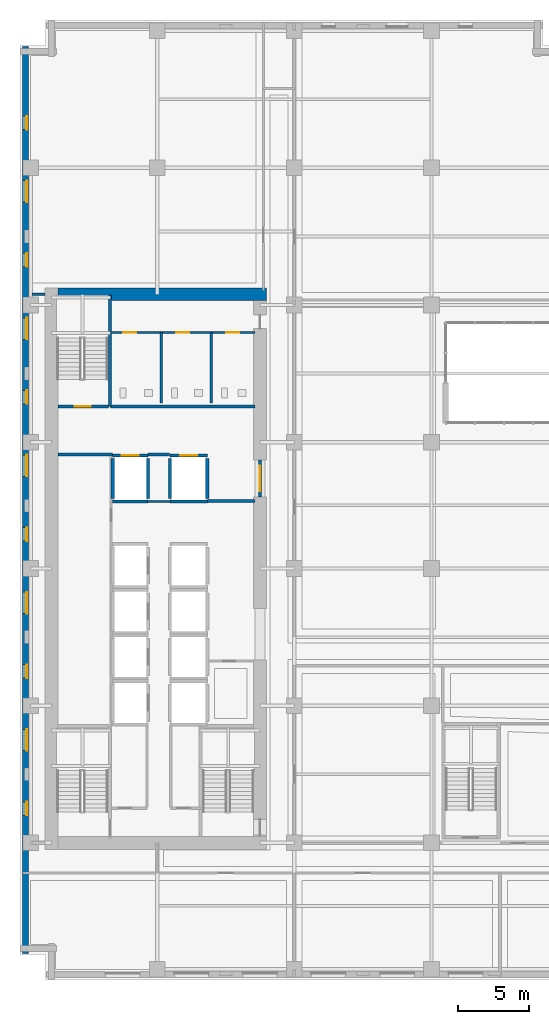
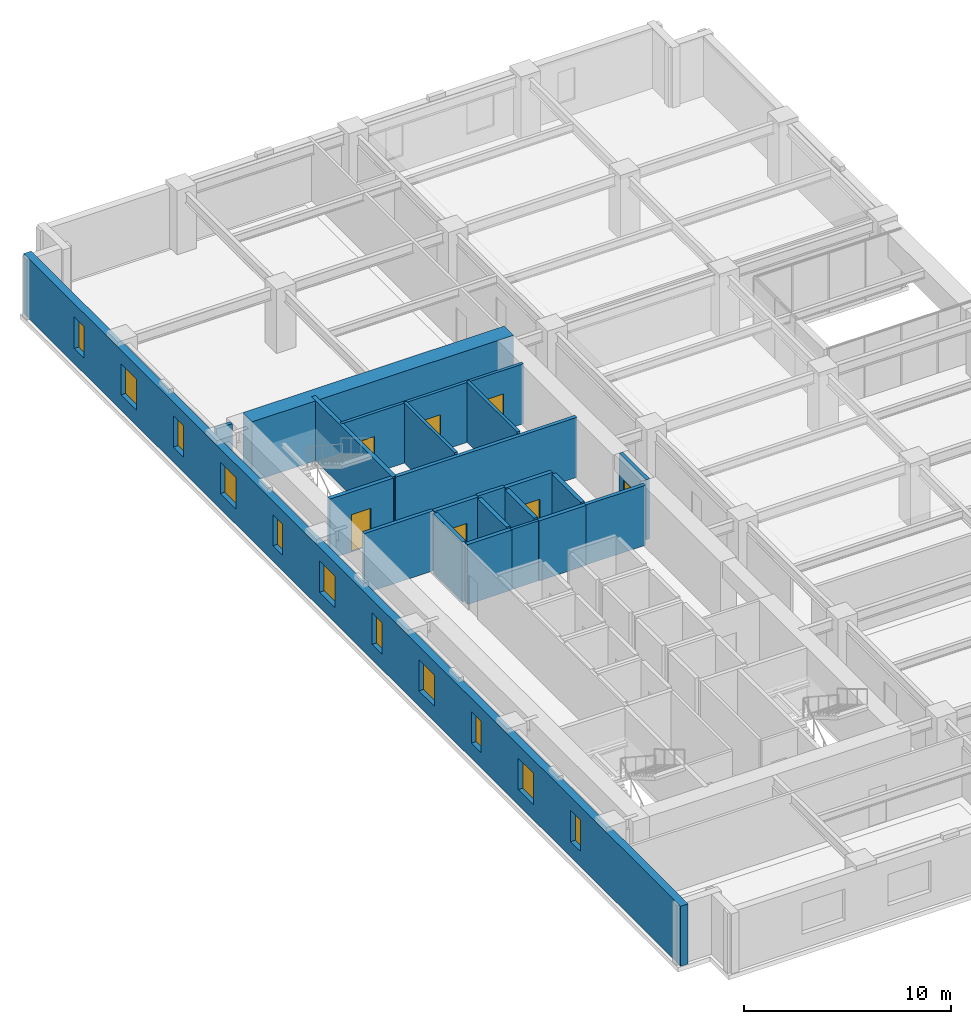
# One storey, part 6 of 14: 22 walls, 11 windows, 7 doors, 18 openings.
"""IFC4 building model written with IfcOpenShell, lengths in metres."""

from ifc_helpers import new_model, si_unit, direction, frame, frame_2d, origin, place, context, subcontext, project, spatial, rectangle, extrude, material, layer, layer_set, type_object, element, fill, save


model = new_model("IFC4")

# Units and contexts
model_context = context("Model", 3, precision=1e-05, world=origin(), true_north=direction((0.0, 1.0)))
body_context = subcontext(model_context, "Body", "Model", "MODEL_VIEW")
ifc_project = project(units=[si_unit("LENGTHUNIT", "METRE"), si_unit("AREAUNIT", "SQUARE_METRE"), si_unit("VOLUMEUNIT", "CUBIC_METRE"), si_unit("PLANEANGLEUNIT", "RADIAN"), si_unit("MASSUNIT", "GRAM", prefix="KILO")], contexts=[model_context])

# Site, building, storey
site_placement = place(None, origin())
site = spatial("IfcSite", under=ifc_project, at=site_placement, CompositionType="ELEMENT")
building_placement = place(site_placement, origin())
building = spatial("IfcBuilding", under=site, at=building_placement, Name="Norrvale University Quadrangle", CompositionType="ELEMENT")
storey_placement = place(building_placement, frame((0.0, 0.0, 62.199951171875)))
storey = spatial("IfcBuildingStorey", under=building, at=storey_placement, Name="L15", CompositionType="ELEMENT", Elevation=62.199951171875)

# Wall, openings, windows
ifc_material_1 = material(Name="Buff Norman Clay Brick Masonry", Category="masonry")
ifc_layer_1 = layer(ifc_material_1, 0.419921875, Name="Buff Norman Clay Brick Masonry")
ifc_layer_set_1 = layer_set([ifc_layer_1], Name="Buff Norman Clay Brick Masonry")
wall_type_1 = type_object("IfcWallType", Name="Wall Buff Brick 420", PredefinedType="SOLIDWALL", material=ifc_layer_set_1)
wall_1_placement = place(storey_placement, frame((0.389892578125, 65.360107421875, 0.0), z_axis=(0.0, 0.0, 1.0), x_axis=(0.0, -1.0, 0.0)))
wall_1 = element("IfcWall", 1, at=wall_1_placement, inside=storey, type_object=wall_type_1, Name="Exterior Brick Facade Wall L15-14.1", PredefinedType="SOLIDWALL", context=body_context, shape_type="SweptSolid", body=[
    extrude(rectangle(XDim=63.52001953125, YDim=0.419921875, at=frame_2d((31.760009765625, 0.0))), origin(), (0.0, 0.0, 1.0), 3.5400390625),
])
opening_1_placement = place(wall_1_placement, frame((4.885009765625, 0.0, 0.89990234375)))
opening_1 = element("IfcOpeningElement", 2, at=opening_1_placement, cuts=wall_1, Name="Opening W04", PredefinedType="OPENING", context=body_context, shape_type="SweptSolid", body=[
    extrude(rectangle(XDim=0.949951171875, YDim=1.85009765625, at=frame_2d((0.47509765625, 0.925048828125))), frame((0.0, 0.221923828125, 0.0), z_axis=(0.0, -1.0, 0.0), x_axis=(1.0, 0.0, 0.0)), (0.0, 0.0, 1.0), 0.44384765625),
])
opening_2_placement = place(wall_1_placement, frame((9.409912109375, 0.0, 0.89990234375)))
opening_2 = element("IfcOpeningElement", 3, at=opening_2_placement, cuts=wall_1, Name="Opening W03", PredefinedType="OPENING", context=body_context, shape_type="SweptSolid", body=[
    extrude(rectangle(XDim=1.5, YDim=1.85009765625, at=frame_2d((0.75, 0.925048828125))), frame((0.0, 0.221923828125, 0.0), z_axis=(0.0, -1.0, 0.0), x_axis=(1.0, 0.0, 0.0)), (0.0, 0.0, 1.0), 0.44384765625),
])
opening_3_placement = place(wall_1_placement, frame((14.485107421875, 0.0, 0.89990234375)))
opening_3 = element("IfcOpeningElement", 4, at=opening_3_placement, cuts=wall_1, Name="Opening W04", PredefinedType="OPENING", context=body_context, shape_type="SweptSolid", body=[
    extrude(rectangle(XDim=0.949951171875, YDim=1.85009765625, at=frame_2d((0.47509765625, 0.925048828125))), frame((0.0, 0.221923828125, 0.0), z_axis=(0.0, -1.0, 0.0), x_axis=(1.0, 0.0, 0.0)), (0.0, 0.0, 1.0), 0.44384765625),
])
opening_4_placement = place(wall_1_placement, frame((19.010009765625, 0.0, 0.89990234375)))
opening_4 = element("IfcOpeningElement", 5, at=opening_4_placement, cuts=wall_1, Name="Opening W03", PredefinedType="OPENING", context=body_context, shape_type="SweptSolid", body=[
    extrude(rectangle(XDim=1.5, YDim=1.85009765625, at=frame_2d((0.75, 0.925048828125))), frame((0.0, 0.221923828125, 0.0), z_axis=(0.0, -1.0, 0.0), x_axis=(1.0, 0.0, 0.0)), (0.0, 0.0, 1.0), 0.44384765625),
])
opening_5_placement = place(wall_1_placement, frame((24.0849609375, 0.0, 0.89990234375)))
opening_5 = element("IfcOpeningElement", 6, at=opening_5_placement, cuts=wall_1, Name="Opening W04", PredefinedType="OPENING", context=body_context, shape_type="SweptSolid", body=[
    extrude(rectangle(XDim=0.949951171875, YDim=1.85009765625, at=frame_2d((0.47509765625, 0.925048828125))), frame((0.0, 0.221923828125, 0.0), z_axis=(0.0, -1.0, 0.0), x_axis=(1.0, 0.0, 0.0)), (0.0, 0.0, 1.0), 0.44384765625),
])
opening_6_placement = place(wall_1_placement, frame((28.610107421875, 0.0, 0.89990234375)))
opening_6 = element("IfcOpeningElement", 7, at=opening_6_placement, cuts=wall_1, Name="Opening W03", PredefinedType="OPENING", context=body_context, shape_type="SweptSolid", body=[
    extrude(rectangle(XDim=1.5, YDim=1.85009765625, at=frame_2d((0.75, 0.925048828125))), frame((0.0, 0.221923828125, 0.0), z_axis=(0.0, -1.0, 0.0), x_axis=(1.0, 0.0, 0.0)), (0.0, 0.0, 1.0), 0.44384765625),
])
opening_7_placement = place(wall_1_placement, frame((33.68505859375, 0.0, 0.89990234375)))
opening_7 = element("IfcOpeningElement", 8, at=opening_7_placement, cuts=wall_1, Name="Opening W04", PredefinedType="OPENING", context=body_context, shape_type="SweptSolid", body=[
    extrude(rectangle(XDim=0.949951171875, YDim=1.85009765625, at=frame_2d((0.47509765625, 0.925048828125))), frame((0.0, 0.221923828125, 0.0), z_axis=(0.0, -1.0, 0.0), x_axis=(1.0, 0.0, 0.0)), (0.0, 0.0, 1.0), 0.44384765625),
])
opening_8_placement = place(wall_1_placement, frame((38.2099609375, 0.0, 0.89990234375)))
opening_8 = element("IfcOpeningElement", 9, at=opening_8_placement, cuts=wall_1, Name="Opening W03", PredefinedType="OPENING", context=body_context, shape_type="SweptSolid", body=[
    extrude(rectangle(XDim=1.5, YDim=1.85009765625, at=frame_2d((0.75, 0.925048828125))), frame((0.0, 0.221923828125, 0.0), z_axis=(0.0, -1.0, 0.0), x_axis=(1.0, 0.0, 0.0)), (0.0, 0.0, 1.0), 0.44384765625),
])
opening_9_placement = place(wall_1_placement, frame((43.284912109375, 0.0, 0.89990234375)))
opening_9 = element("IfcOpeningElement", 10, at=opening_9_placement, cuts=wall_1, Name="Opening W04", PredefinedType="OPENING", context=body_context, shape_type="SweptSolid", body=[
    extrude(rectangle(XDim=0.949951171875, YDim=1.85009765625, at=frame_2d((0.47509765625, 0.925048828125))), frame((0.0, 0.221923828125, 0.0), z_axis=(0.0, -1.0, 0.0), x_axis=(1.0, 0.0, 0.0)), (0.0, 0.0, 1.0), 0.44384765625),
])
opening_10_placement = place(wall_1_placement, frame((47.81005859375, 0.0, 0.89990234375)))
opening_10 = element("IfcOpeningElement", 11, at=opening_10_placement, cuts=wall_1, Name="Opening W03", PredefinedType="OPENING", context=body_context, shape_type="SweptSolid", body=[
    extrude(rectangle(XDim=1.5, YDim=1.85009765625, at=frame_2d((0.75, 0.925048828125))), frame((0.0, 0.221923828125, 0.0), z_axis=(0.0, -1.0, 0.0), x_axis=(1.0, 0.0, 0.0)), (0.0, 0.0, 1.0), 0.44384765625),
])
opening_11_placement = place(wall_1_placement, frame((52.885009765625, 0.0, 0.89990234375)))
opening_11 = element("IfcOpeningElement", 12, at=opening_11_placement, cuts=wall_1, Name="Opening W04", PredefinedType="OPENING", context=body_context, shape_type="SweptSolid", body=[
    extrude(rectangle(XDim=0.949951171875, YDim=1.85009765625, at=frame_2d((0.47509765625, 0.925048828125))), frame((0.0, 0.221923828125, 0.0), z_axis=(0.0, -1.0, 0.0), x_axis=(1.0, 0.0, 0.0)), (0.0, 0.0, 1.0), 0.44384765625),
])
ifc_material_2 = material(Name="Triple Low-E Argon Glazing", Category="glass")
window_type_1 = type_object("IfcWindowType", Name="Window Narrow Pier 950x2300", PartitioningType="SINGLE_PANEL", PredefinedType="WINDOW", material=ifc_material_2)
window_1_placement = place(opening_1_placement, origin())
window_1 = element("IfcWindow", 13, at=window_1_placement, inside=storey, type_object=window_type_1, Name="Window Narrow Pier 950x2300 WIN-L15-E14-1-01", OverallHeight=1.85009765625, OverallWidth=0.949951171875, PartitioningType="SINGLE_PANEL", PredefinedType="WINDOW", context=body_context, shape_type="SweptSolid", body=[
    extrude(rectangle(XDim=0.949951171875, YDim=1.85009765625, at=frame_2d((0.47509765625, 0.925048828125))), frame((0.0, 0.110107421875, 0.0), z_axis=(0.0, -1.0, 0.0), x_axis=(1.0, 0.0, 0.0)), (0.0, 0.0, 1.0), 0.06005859375),
])
fill(opening_1, window_1)
window_2_placement = place(opening_3_placement, origin())
window_2 = element("IfcWindow", 14, at=window_2_placement, inside=storey, type_object=window_type_1, Name="Window Narrow Pier 950x2300 WIN-L15-E14-1-03", OverallHeight=1.85009765625, OverallWidth=0.949951171875, PartitioningType="SINGLE_PANEL", PredefinedType="WINDOW", context=body_context, shape_type="SweptSolid", body=[
    extrude(rectangle(XDim=0.949951171875, YDim=1.85009765625, at=frame_2d((0.47509765625, 0.925048828125))), frame((0.0, 0.110107421875, 0.0), z_axis=(0.0, -1.0, 0.0), x_axis=(1.0, 0.0, 0.0)), (0.0, 0.0, 1.0), 0.06005859375),
])
fill(opening_3, window_2)
window_3_placement = place(opening_5_placement, origin())
window_3 = element("IfcWindow", 15, at=window_3_placement, inside=storey, type_object=window_type_1, Name="Window Narrow Pier 950x2300 WIN-L15-E14-1-05", OverallHeight=1.85009765625, OverallWidth=0.949951171875, PartitioningType="SINGLE_PANEL", PredefinedType="WINDOW", context=body_context, shape_type="SweptSolid", body=[
    extrude(rectangle(XDim=0.949951171875, YDim=1.85009765625, at=frame_2d((0.47509765625, 0.925048828125))), frame((0.0, 0.110107421875, 0.0), z_axis=(0.0, -1.0, 0.0), x_axis=(1.0, 0.0, 0.0)), (0.0, 0.0, 1.0), 0.06005859375),
])
fill(opening_5, window_3)
window_4_placement = place(opening_7_placement, origin())
window_4 = element("IfcWindow", 16, at=window_4_placement, inside=storey, type_object=window_type_1, Name="Window Narrow Pier 950x2300 WIN-L15-E14-1-07", OverallHeight=1.85009765625, OverallWidth=0.949951171875, PartitioningType="SINGLE_PANEL", PredefinedType="WINDOW", context=body_context, shape_type="SweptSolid", body=[
    extrude(rectangle(XDim=0.949951171875, YDim=1.85009765625, at=frame_2d((0.47509765625, 0.925048828125))), frame((0.0, 0.110107421875, 0.0), z_axis=(0.0, -1.0, 0.0), x_axis=(1.0, 0.0, 0.0)), (0.0, 0.0, 1.0), 0.06005859375),
])
fill(opening_7, window_4)
window_5_placement = place(opening_9_placement, origin())
window_5 = element("IfcWindow", 17, at=window_5_placement, inside=storey, type_object=window_type_1, Name="Window Narrow Pier 950x2300 WIN-L15-E14-1-09", OverallHeight=1.85009765625, OverallWidth=0.949951171875, PartitioningType="SINGLE_PANEL", PredefinedType="WINDOW", context=body_context, shape_type="SweptSolid", body=[
    extrude(rectangle(XDim=0.949951171875, YDim=1.85009765625, at=frame_2d((0.47509765625, 0.925048828125))), frame((0.0, 0.110107421875, 0.0), z_axis=(0.0, -1.0, 0.0), x_axis=(1.0, 0.0, 0.0)), (0.0, 0.0, 1.0), 0.06005859375),
])
fill(opening_9, window_5)
window_6_placement = place(opening_11_placement, origin())
window_6 = element("IfcWindow", 18, at=window_6_placement, inside=storey, type_object=window_type_1, Name="Window Narrow Pier 950x2300 WIN-L15-E14-1-11", OverallHeight=1.85009765625, OverallWidth=0.949951171875, PartitioningType="SINGLE_PANEL", PredefinedType="WINDOW", context=body_context, shape_type="SweptSolid", body=[
    extrude(rectangle(XDim=0.949951171875, YDim=1.85009765625, at=frame_2d((0.47509765625, 0.925048828125))), frame((0.0, 0.110107421875, 0.0), z_axis=(0.0, -1.0, 0.0), x_axis=(1.0, 0.0, 0.0)), (0.0, 0.0, 1.0), 0.06005859375),
])
fill(opening_11, window_6)
window_type_2 = type_object("IfcWindowType", Name="Window Studio 1500x2300", PartitioningType="DOUBLE_PANEL_VERTICAL", PredefinedType="WINDOW", material=ifc_material_2)
window_7_placement = place(opening_2_placement, origin())
window_7 = element("IfcWindow", 19, at=window_7_placement, inside=storey, type_object=window_type_2, Name="Window Studio 1500x2300 WIN-L15-E14-1-02", OverallHeight=1.85009765625, OverallWidth=1.5, PartitioningType="DOUBLE_PANEL_VERTICAL", PredefinedType="WINDOW", context=body_context, shape_type="SweptSolid", body=[
    extrude(rectangle(XDim=1.5, YDim=1.85009765625, at=frame_2d((0.75, 0.925048828125))), frame((0.0, 0.110107421875, 0.0), z_axis=(0.0, -1.0, 0.0), x_axis=(1.0, 0.0, 0.0)), (0.0, 0.0, 1.0), 0.06005859375),
])
fill(opening_2, window_7)
window_8_placement = place(opening_4_placement, origin())
window_8 = element("IfcWindow", 20, at=window_8_placement, inside=storey, type_object=window_type_2, Name="Window Studio 1500x2300 WIN-L15-E14-1-04", OverallHeight=1.85009765625, OverallWidth=1.5, PartitioningType="DOUBLE_PANEL_VERTICAL", PredefinedType="WINDOW", context=body_context, shape_type="SweptSolid", body=[
    extrude(rectangle(XDim=1.5, YDim=1.85009765625, at=frame_2d((0.75, 0.925048828125))), frame((0.0, 0.110107421875, 0.0), z_axis=(0.0, -1.0, 0.0), x_axis=(1.0, 0.0, 0.0)), (0.0, 0.0, 1.0), 0.06005859375),
])
fill(opening_4, window_8)
window_9_placement = place(opening_6_placement, origin())
window_9 = element("IfcWindow", 21, at=window_9_placement, inside=storey, type_object=window_type_2, Name="Window Studio 1500x2300 WIN-L15-E14-1-06", OverallHeight=1.85009765625, OverallWidth=1.5, PartitioningType="DOUBLE_PANEL_VERTICAL", PredefinedType="WINDOW", context=body_context, shape_type="SweptSolid", body=[
    extrude(rectangle(XDim=1.5, YDim=1.85009765625, at=frame_2d((0.75, 0.925048828125))), frame((0.0, 0.110107421875, 0.0), z_axis=(0.0, -1.0, 0.0), x_axis=(1.0, 0.0, 0.0)), (0.0, 0.0, 1.0), 0.06005859375),
])
fill(opening_6, window_9)
window_10_placement = place(opening_8_placement, origin())
window_10 = element("IfcWindow", 22, at=window_10_placement, inside=storey, type_object=window_type_2, Name="Window Studio 1500x2300 WIN-L15-E14-1-08", OverallHeight=1.85009765625, OverallWidth=1.5, PartitioningType="DOUBLE_PANEL_VERTICAL", PredefinedType="WINDOW", context=body_context, shape_type="SweptSolid", body=[
    extrude(rectangle(XDim=1.5, YDim=1.85009765625, at=frame_2d((0.75, 0.925048828125))), frame((0.0, 0.110107421875, 0.0), z_axis=(0.0, -1.0, 0.0), x_axis=(1.0, 0.0, 0.0)), (0.0, 0.0, 1.0), 0.06005859375),
])
fill(opening_8, window_10)
window_11_placement = place(opening_10_placement, origin())
window_11 = element("IfcWindow", 23, at=window_11_placement, inside=storey, type_object=window_type_2, Name="Window Studio 1500x2300 WIN-L15-E14-1-10", OverallHeight=1.85009765625, OverallWidth=1.5, PartitioningType="DOUBLE_PANEL_VERTICAL", PredefinedType="WINDOW", context=body_context, shape_type="SweptSolid", body=[
    extrude(rectangle(XDim=1.5, YDim=1.85009765625, at=frame_2d((0.75, 0.925048828125))), frame((0.0, 0.110107421875, 0.0), z_axis=(0.0, -1.0, 0.0), x_axis=(1.0, 0.0, 0.0)), (0.0, 0.0, 1.0), 0.06005859375),
])
fill(opening_10, window_11)

# Walls
ifc_material_3 = material(Name="Concrete C80/95", Category="concrete")
ifc_layer_2 = layer(ifc_material_3, 0.89990234375, Name="Concrete C80/95")
ifc_layer_set_2 = layer_set([ifc_layer_2], Name="Concrete C80/95")
wall_type_2 = type_object("IfcWallType", Name="Wall Core 900", PredefinedType="SHEAR", material=ifc_layer_set_2)
wall_2_placement = place(storey_placement, frame((2.64990234375, 48.0, 0.0), z_axis=(0.0, 0.0, 1.0), x_axis=(1.0, 0.0, 0.0)))
element("IfcWall", 24, at=wall_2_placement, inside=storey, type_object=wall_type_2, Name="Tower Core Shear Wall L15-N", PredefinedType="SHEAR", context=body_context, shape_type="SweptSolid", body=[
    extrude(rectangle(XDim=14.60009765625, YDim=0.89990234375, at=frame_2d((7.300048828125, 0.0))), origin(), (0.0, 0.0, 1.0), 3.5400390625),
])
ifc_material_4 = material(Name="Fire-Rated Gypsum Stud Partition")
ifc_layer_3 = layer(ifc_material_4, 0.14990234375, Name="Fire-Rated Gypsum Stud Partition")
ifc_layer_set_3 = layer_set([ifc_layer_3], Name="Fire-Rated Gypsum Stud Partition")
wall_type_3 = type_object("IfcWallType", Name="Wall Gypsum Corridor 150", PredefinedType="PARTITIONING", material=ifc_layer_set_3)
wall_3_placement = place(storey_placement, frame((8.965087890625, 33.489990234375, 0.0), z_axis=(0.0, 0.0, 1.0), x_axis=(1.0, 0.0, 0.0)))
element("IfcWall", 25, at=wall_3_placement, inside=storey, type_object=wall_type_3, Name="Interior Partition WL-L15-LL3", PredefinedType="PARTITIONING", context=body_context, shape_type="SweptSolid", body=[
    extrude(rectangle(XDim=1.52001953125, YDim=0.14990234375, at=frame_2d((0.760009765625, 0.0))), origin(), (0.0, 0.0, 1.0), 3.5400390625),
])

# Wall, openings, doors
ifc_material_5 = material(Name="Sanitary Chase Gypsum Partition")
ifc_layer_4 = layer(ifc_material_5, 0.1650390625, Name="Sanitary Chase Gypsum Partition")
ifc_layer_set_4 = layer_set([ifc_layer_4], Name="Sanitary Chase Gypsum Partition")
wall_type_4 = type_object("IfcWallType", Name="Wall Gypsum Sanitary 165", PredefinedType="PLUMBINGWALL", material=ifc_layer_set_4)
wall_4_placement = place(storey_placement, frame((6.320068359375, 45.320068359375, 0.0), z_axis=(0.0, 0.0, 1.0), x_axis=(1.0, 0.0, 0.0)))
wall_4 = element("IfcWall", 26, at=wall_4_placement, inside=storey, type_object=wall_type_4, Name="Interior Partition WL-L15-WCN", PredefinedType="PLUMBINGWALL", context=body_context, shape_type="SweptSolid", body=[
    extrude(rectangle(XDim=10.1298828125, YDim=0.1650390625, at=frame_2d((5.06494140625, 0.0))), origin(), (0.0, 0.0, 1.0), 3.5400390625),
])
opening_12_placement = place(wall_4_placement, frame((0.89990234375, 0.0, 0.0)))
opening_12 = element("IfcOpeningElement", 27, at=opening_12_placement, cuts=wall_4, Name="Opening D08", PredefinedType="OPENING", context=body_context, shape_type="SweptSolid", body=[
    extrude(rectangle(XDim=0.919921875, YDim=2.14990234375, at=frame_2d((0.4599609375, 1.074951171875))), frame((0.0, 0.094482421875, 0.0), z_axis=(0.0, -1.0, 0.0), x_axis=(1.0, 0.0, 0.0)), (0.0, 0.0, 1.0), 0.18896484375),
])
opening_13_placement = place(wall_4_placement, frame((4.60009765625, 0.0, 0.0)))
opening_13 = element("IfcOpeningElement", 28, at=opening_13_placement, cuts=wall_4, Name="Opening D08", PredefinedType="OPENING", context=body_context, shape_type="SweptSolid", body=[
    extrude(rectangle(XDim=0.919921875, YDim=2.14990234375, at=frame_2d((0.4599609375, 1.074951171875))), frame((0.0, 0.094482421875, 0.0), z_axis=(0.0, -1.0, 0.0), x_axis=(1.0, 0.0, 0.0)), (0.0, 0.0, 1.0), 0.18896484375),
])
opening_14_placement = place(wall_4_placement, frame((8.10009765625, 0.0, 0.0)))
opening_14 = element("IfcOpeningElement", 29, at=opening_14_placement, cuts=wall_4, Name="Opening D08", PredefinedType="OPENING", context=body_context, shape_type="SweptSolid", body=[
    extrude(rectangle(XDim=0.919921875, YDim=2.14990234375, at=frame_2d((0.4599609375, 1.074951171875))), frame((0.0, 0.094482421875, 0.0), z_axis=(0.0, -1.0, 0.0), x_axis=(1.0, 0.0, 0.0)), (0.0, 0.0, 1.0), 0.18896484375),
])
ifc_material_6 = material(Name="Laminate Washroom Door", Category="wood")
door_type_1 = type_object("IfcDoorType", Name="Door Washroom 920x2150", OperationType="NOTDEFINED", PredefinedType="DOOR", material=ifc_material_6)
door_1_placement = place(opening_12_placement, origin())
door_1 = element("IfcDoor", 30, at=door_1_placement, inside=storey, type_object=door_type_1, Name="Door Washroom 920x2150 DR-L15-WC1", OperationType="SINGLE_SWING_LEFT", OverallHeight=2.14990234375, OverallWidth=0.919921875, PredefinedType="DOOR", context=body_context, shape_type="SweptSolid", body=[
    extrude(rectangle(XDim=0.919921875, YDim=2.14990234375, at=frame_2d((0.4599609375, 1.074951171875))), frame((0.0, 0.02490234375, 0.0), z_axis=(0.0, -1.0, 0.0), x_axis=(1.0, 0.0, 0.0)), (0.0, 0.0, 1.0), 0.050048828125),
])
fill(opening_12, door_1)
door_2_placement = place(opening_13_placement, origin())
door_2 = element("IfcDoor", 31, at=door_2_placement, inside=storey, type_object=door_type_1, Name="Door Washroom 920x2150 DR-L15-WC2", OperationType="SINGLE_SWING_RIGHT", OverallHeight=2.14990234375, OverallWidth=0.919921875, PredefinedType="DOOR", context=body_context, shape_type="SweptSolid", body=[
    extrude(rectangle(XDim=0.919921875, YDim=2.14990234375, at=frame_2d((0.4599609375, 1.074951171875))), frame((0.0, 0.02490234375, 0.0), z_axis=(0.0, -1.0, 0.0), x_axis=(1.0, 0.0, 0.0)), (0.0, 0.0, 1.0), 0.050048828125),
])
fill(opening_13, door_2)
door_3_placement = place(opening_14_placement, origin())
door_3 = element("IfcDoor", 32, at=door_3_placement, inside=storey, type_object=door_type_1, Name="Door Washroom 920x2150 DR-L15-WC3", OperationType="SINGLE_SWING_LEFT", OverallHeight=2.14990234375, OverallWidth=0.919921875, PredefinedType="DOOR", context=body_context, shape_type="SweptSolid", body=[
    extrude(rectangle(XDim=0.919921875, YDim=2.14990234375, at=frame_2d((0.4599609375, 1.074951171875))), frame((0.0, 0.02490234375, 0.0), z_axis=(0.0, -1.0, 0.0), x_axis=(1.0, 0.0, 0.0)), (0.0, 0.0, 1.0), 0.050048828125),
])
fill(opening_14, door_3)

# Walls
for number, where, z_axis, x_axis, name in (
    (33, (9.89990234375, 40.39990234375, 0.0), (0.0, 0.0, 1.0), (0.0, 1.0, 0.0), "Interior Partition WL-L15-WCM1"),
    (34, (13.39990234375, 40.39990234375, 0.0), (0.0, 0.0, 1.0), (0.0, 1.0, 0.0), "Interior Partition WL-L15-WCM2"),
):
    element("IfcWall", number, at=place(storey_placement, frame(where, z_axis=z_axis, x_axis=x_axis)), inside=storey, type_object=wall_type_4, Name=name, PredefinedType="PLUMBINGWALL", context=body_context, shape_type="SweptSolid", body=[
        extrude(rectangle(XDim=4.920166015625, YDim=0.1650390625, at=frame_2d((2.4599609375, 0.0))), origin(), (0.0, 0.0, 1.0), 3.5400390625),
    ])
ifc_material_7 = material(Name="Concrete Blockwork 20 MPa Rated Wall", Category="masonry")
ifc_layer_5 = layer(ifc_material_7, 0.199951171875, Name="Concrete Blockwork 20 MPa Rated Wall")
ifc_layer_set_5 = layer_set([ifc_layer_5], Name="Concrete Blockwork 20 MPa Rated Wall")
wall_type_5 = type_object("IfcWallType", Name="Wall Lobby 200", PredefinedType="SOLIDWALL", material=ifc_layer_set_5)
wall_5_placement = place(storey_placement, frame((2.64990234375, 36.780029296875, 0.0), z_axis=(0.0, 0.0, 1.0), x_axis=(1.0, 0.0, 0.0)))
element("IfcWall", 35, at=wall_5_placement, inside=storey, type_object=wall_type_5, Name="Interior Partition WL-L15-FF1", PredefinedType="SOLIDWALL", context=body_context, shape_type="SweptSolid", body=[
    extrude(rectangle(XDim=3.830078125, YDim=0.199951171875, at=frame_2d((1.9150390625, 0.0))), origin(), (0.0, 0.0, 1.0), 3.5400390625),
])
wall_6_placement = place(storey_placement, frame((8.969970703125, 36.780029296875, 0.0), z_axis=(0.0, 0.0, 1.0), x_axis=(1.0, 0.0, 0.0)))
element("IfcWall", 36, at=wall_6_placement, inside=storey, type_object=wall_type_5, Name="Interior Partition WL-L15-FF2", PredefinedType="SOLIDWALL", context=body_context, shape_type="SweptSolid", body=[
    extrude(rectangle(XDim=1.510009765625, YDim=0.199951171875, at=frame_2d((0.7548828125, 0.0))), origin(), (0.0, 0.0, 1.0), 3.5400390625),
])
wall_7_placement = place(storey_placement, frame((13.1201171875, 33.52001953125, 0.0), z_axis=(0.0, 0.0, 1.0), x_axis=(1.0, 0.0, 0.0)))
element("IfcWall", 37, at=wall_7_placement, inside=storey, type_object=wall_type_5, Name="Interior Partition WL-L15-FF3", PredefinedType="SOLIDWALL", context=body_context, shape_type="SweptSolid", body=[
    extrude(rectangle(XDim=3.329833984375, YDim=0.199951171875, at=frame_2d((1.6650390625, 0.0))), origin(), (0.0, 0.0, 1.0), 3.5400390625),
])
wall_8_placement = place(storey_placement, frame((6.320068359375, 40.139892578125, 0.0), z_axis=(0.0, 0.0, 1.0), x_axis=(1.0, 0.0, 0.0)))
element("IfcWall", 38, at=wall_8_placement, inside=storey, type_object=wall_type_5, Name="Interior Partition WL-L15-FF4", PredefinedType="SOLIDWALL", context=body_context, shape_type="SweptSolid", body=[
    extrude(rectangle(XDim=10.1298828125, YDim=0.199951171875, at=frame_2d((5.06494140625, 0.0))), origin(), (0.0, 0.0, 1.0), 3.5400390625),
])

# Wall, opening, door
wall_9_placement = place(storey_placement, frame((16.800048828125, 33.800048828125, 0.0), z_axis=(0.0, 0.0, 1.0), x_axis=(0.0, 1.0, 0.0)))
wall_9 = element("IfcWall", 39, at=wall_9_placement, inside=storey, type_object=wall_type_5, Name="Interior Partition WL-L15-FFP", PredefinedType="SOLIDWALL", context=body_context, shape_type="SweptSolid", body=[
    extrude(rectangle(XDim=2.599853515625, YDim=0.199951171875, at=frame_2d((1.2998046875, 0.0))), origin(), (0.0, 0.0, 1.0), 3.5400390625),
])
opening_15_placement = place(wall_9_placement, frame((0.39990234375, 0.0, 0.0)))
opening_15 = element("IfcOpeningElement", 40, at=opening_15_placement, cuts=wall_9, Name="Opening D03", PredefinedType="OPENING", context=body_context, shape_type="SweptSolid", body=[
    extrude(rectangle(XDim=1.800048828125, YDim=2.199951171875, at=frame_2d((0.89990234375, 1.10009765625))), frame((0.0, 0.112060546875, 0.0), z_axis=(0.0, -1.0, 0.0), x_axis=(1.0, 0.0, 0.0)), (0.0, 0.0, 1.0), 0.223876953125),
])
ifc_material_8 = material(Name="Hollow Steel 350W Fire Door", Category="steel")
door_type_2 = type_object("IfcDoorType", Name="Door Fire Lobby 1800x2200", OperationType="DOUBLE_DOOR_SINGLE_SWING", PredefinedType="DOOR", material=ifc_material_8)
door_4_placement = place(opening_15_placement, origin())
door_4 = element("IfcDoor", 41, at=door_4_placement, inside=storey, type_object=door_type_2, Name="Door Fire Lobby 1800x2200 DR-L15-FFP", OperationType="DOUBLE_DOOR_SINGLE_SWING", OverallHeight=2.199951171875, OverallWidth=1.800048828125, PredefinedType="DOOR", context=body_context, shape_type="SweptSolid", body=[
    extrude(rectangle(XDim=1.800048828125, YDim=2.199951171875, at=frame_2d((0.89990234375, 1.10009765625))), frame((0.0, 0.02490234375, 0.0), z_axis=(0.0, -1.0, 0.0), x_axis=(1.0, 0.0, 0.0)), (0.0, 0.0, 1.0), 0.050048828125),
])
fill(opening_15, door_4)

# Wall
wall_10_placement = place(storey_placement, frame((0.85009765625, 48.0, 0.0), z_axis=(0.0, 0.0, 1.0), x_axis=(1.0, 0.0, 0.0)))
element("IfcWall", 42, at=wall_10_placement, inside=storey, type_object=wall_type_5, Name="Interior Partition WL-L15-CWRET-N", PredefinedType="SOLIDWALL", context=body_context, shape_type="SweptSolid", body=[
    extrude(rectangle(XDim=0.89501953125, YDim=0.199951171875, at=frame_2d((0.447509765625, 0.0))), origin(), (0.0, 0.0, 1.0), 3.5400390625),
])

# Wall, opening, door
ifc_material_9 = material(Name="Concrete Blockwork 20 MPa Fire Shaft", Category="masonry")
ifc_layer_6 = layer(ifc_material_9, 0.219970703125, Name="Concrete Blockwork 20 MPa Fire Shaft")
ifc_layer_set_6 = layer_set([ifc_layer_6], Name="Concrete Blockwork 20 MPa Fire Shaft")
wall_type_6 = type_object("IfcWallType", Name="Wall Shaft 220", PredefinedType="SOLIDWALL", material=ifc_layer_set_6)
wall_11_placement = place(storey_placement, frame((2.64990234375, 40.139892578125, 0.0), z_axis=(0.0, 0.0, 1.0), x_axis=(1.0, 0.0, 0.0)))
wall_11 = element("IfcWall", 43, at=wall_11_placement, inside=storey, type_object=wall_type_6, Name="Stair ST-02 South Shaft Wall L15", PredefinedType="SOLIDWALL", context=body_context, shape_type="SweptSolid", body=[
    extrude(rectangle(XDim=3.550048828125, YDim=0.219970703125, at=frame_2d((1.77490234375, 0.0))), origin(), (0.0, 0.0, 1.0), 3.5400390625),
])
opening_16_placement = place(wall_11_placement, frame((1.199951171875, 0.0, 0.0)))
opening_16 = element("IfcOpeningElement", 44, at=opening_16_placement, cuts=wall_11, Name="Opening D02", PredefinedType="OPENING", context=body_context, shape_type="SweptSolid", body=[
    extrude(rectangle(XDim=1.10009765625, YDim=2.199951171875, at=frame_2d((0.550048828125, 1.10009765625))), frame((0.0, 0.1220703125, 0.0), z_axis=(0.0, -1.0, 0.0), x_axis=(1.0, 0.0, 0.0)), (0.0, 0.0, 1.0), 0.243896484375),
])
door_type_3 = type_object("IfcDoorType", Name="Door Stair Exit 1100x2200", OperationType="NOTDEFINED", PredefinedType="DOOR", material=ifc_material_8)
door_5_placement = place(opening_16_placement, origin())
door_5 = element("IfcDoor", 45, at=door_5_placement, inside=storey, type_object=door_type_3, Name="Door Stair Exit 1100x2200 DR-L15-ST02", OperationType="SINGLE_SWING_LEFT", OverallHeight=2.199951171875, OverallWidth=1.10009765625, PredefinedType="DOOR", context=body_context, shape_type="SweptSolid", body=[
    extrude(rectangle(XDim=1.10009765625, YDim=2.199951171875, at=frame_2d((0.550048828125, 1.10009765625))), frame((0.0, 0.02490234375, 0.0), z_axis=(0.0, -1.0, 0.0), x_axis=(1.0, 0.0, 0.0)), (0.0, 0.0, 1.0), 0.050048828125),
])
fill(opening_16, door_5)

# Walls
wall_12_placement = place(storey_placement, frame((6.31005859375, 40.139892578125, 0.0), z_axis=(0.0, 0.0, 1.0), x_axis=(0.0, 1.0, 0.0)))
element("IfcWall", 46, at=wall_12_placement, inside=storey, type_object=wall_type_6, Name="Stair ST-02 East Shaft Wall L15", PredefinedType="SOLIDWALL", context=body_context, shape_type="SweptSolid", body=[
    extrude(rectangle(XDim=7.81005859375, YDim=0.219970703125, at=frame_2d((3.905029296875, 0.0))), origin(), (0.0, 0.0, 1.0), 3.5400390625),
])
for number, where, z_axis, x_axis, name in (
    (47, (6.489990234375, 33.7099609375, 0.0), (0.0, 0.0, 1.0), (0.0, 1.0, 0.0), "Hoistway FFL-01 West Wall L15"),
    (48, (8.9599609375, 33.7099609375, 0.0), (0.0, 0.0, 1.0), (0.0, 1.0, 0.0), "Hoistway FFL-01 East Wall L15"),
):
    element("IfcWall", number, at=place(storey_placement, frame(where, z_axis=z_axis, x_axis=x_axis)), inside=storey, type_object=wall_type_6, Name=name, PredefinedType="SOLIDWALL", context=body_context, shape_type="SweptSolid", body=[
        extrude(rectangle(XDim=2.780029296875, YDim=0.219970703125, at=frame_2d((1.39013671875, 0.0))), origin(), (0.0, 0.0, 1.0), 3.5400390625),
    ])
wall_13_placement = place(storey_placement, frame((6.489990234375, 33.489990234375, 0.0), z_axis=(0.0, 0.0, 1.0), x_axis=(1.0, 0.0, 0.0)))
element("IfcWall", 49, at=wall_13_placement, inside=storey, type_object=wall_type_6, Name="Hoistway FFL-01 South Wall L15", PredefinedType="SOLIDWALL", context=body_context, shape_type="SweptSolid", body=[
    extrude(rectangle(XDim=2.469970703125, YDim=0.219970703125, at=frame_2d((1.23486328125, 0.0))), origin(), (0.0, 0.0, 1.0), 3.5400390625),
])

# Wall, opening, door
wall_14_placement = place(storey_placement, frame((6.489990234375, 36.7099609375, 0.0), z_axis=(0.0, 0.0, 1.0), x_axis=(1.0, 0.0, 0.0)))
wall_14 = element("IfcWall", 50, at=wall_14_placement, inside=storey, type_object=wall_type_6, Name="Hoistway FFL-01 North Wall L15", PredefinedType="SOLIDWALL", context=body_context, shape_type="SweptSolid", body=[
    extrude(rectangle(XDim=2.469970703125, YDim=0.219970703125, at=frame_2d((1.23486328125, 0.0))), origin(), (0.0, 0.0, 1.0), 3.5400390625),
])
opening_17_placement = place(wall_14_placement, frame((0.635009765625, 0.0, 0.0)))
opening_17 = element("IfcOpeningElement", 51, at=opening_17_placement, cuts=wall_14, Name="Opening LD2", PredefinedType="OPENING", context=body_context, shape_type="SweptSolid", body=[
    extrude(rectangle(XDim=1.199951171875, YDim=2.199951171875, at=frame_2d((0.60009765625, 1.10009765625))), frame((0.0, 0.1220703125, 0.0), z_axis=(0.0, -1.0, 0.0), x_axis=(1.0, 0.0, 0.0)), (0.0, 0.0, 1.0), 0.243896484375),
])
ifc_material_10 = material(Name="Stainless Steel 316L Firefighter Lift Door", Category="steel")
door_type_4 = type_object("IfcDoorType", Name="Door Fire Lift 1200x2200", OperationType="DOUBLE_DOOR_SLIDING", PredefinedType="DOOR", material=ifc_material_10)
door_6_placement = place(opening_17_placement, origin())
door_6 = element("IfcDoor", 52, at=door_6_placement, inside=storey, type_object=door_type_4, Name="Elevator Landing Door DR-L15-FFL-01", OperationType="DOUBLE_DOOR_SLIDING", OverallHeight=2.199951171875, OverallWidth=1.199951171875, PredefinedType="DOOR", context=body_context, shape_type="SweptSolid", body=[
    extrude(rectangle(XDim=1.199951171875, YDim=2.199951171875, at=frame_2d((0.60009765625, 1.10009765625))), frame((0.0, 0.02490234375, 0.0), z_axis=(0.0, -1.0, 0.0), x_axis=(1.0, 0.0, 0.0)), (0.0, 0.0, 1.0), 0.050048828125),
])
fill(opening_17, door_6)

# Walls
for number, where, z_axis, x_axis, name in (
    (53, (10.489990234375, 33.7099609375, 0.0), (0.0, 0.0, 1.0), (0.0, 1.0, 0.0), "Hoistway FFL-02 West Wall L15"),
    (54, (13.110107421875, 33.7099609375, 0.0), (0.0, 0.0, 1.0), (0.0, 1.0, 0.0), "Hoistway FFL-02 East Wall L15"),
):
    element("IfcWall", number, at=place(storey_placement, frame(where, z_axis=z_axis, x_axis=x_axis)), inside=storey, type_object=wall_type_6, Name=name, PredefinedType="SOLIDWALL", context=body_context, shape_type="SweptSolid", body=[
        extrude(rectangle(XDim=2.780029296875, YDim=0.219970703125, at=frame_2d((1.39013671875, 0.0))), origin(), (0.0, 0.0, 1.0), 3.5400390625),
    ])
wall_15_placement = place(storey_placement, frame((10.489990234375, 33.489990234375, 0.0), z_axis=(0.0, 0.0, 1.0), x_axis=(1.0, 0.0, 0.0)))
element("IfcWall", 55, at=wall_15_placement, inside=storey, type_object=wall_type_6, Name="Hoistway FFL-02 South Wall L15", PredefinedType="SOLIDWALL", context=body_context, shape_type="SweptSolid", body=[
    extrude(rectangle(XDim=2.6201171875, YDim=0.219970703125, at=frame_2d((1.31005859375, 0.0))), origin(), (0.0, 0.0, 1.0), 3.5400390625),
])

# Wall, opening, door
wall_16_placement = place(storey_placement, frame((10.489990234375, 36.7099609375, 0.0), z_axis=(0.0, 0.0, 1.0), x_axis=(1.0, 0.0, 0.0)))
wall_16 = element("IfcWall", 56, at=wall_16_placement, inside=storey, type_object=wall_type_6, Name="Hoistway FFL-02 North Wall L15", PredefinedType="SOLIDWALL", context=body_context, shape_type="SweptSolid", body=[
    extrude(rectangle(XDim=2.6201171875, YDim=0.219970703125, at=frame_2d((1.31005859375, 0.0))), origin(), (0.0, 0.0, 1.0), 3.5400390625),
])
opening_18_placement = place(wall_16_placement, frame((0.7099609375, 0.0, 0.0)))
opening_18 = element("IfcOpeningElement", 57, at=opening_18_placement, cuts=wall_16, Name="Opening LD2", PredefinedType="OPENING", context=body_context, shape_type="SweptSolid", body=[
    extrude(rectangle(XDim=1.199951171875, YDim=2.199951171875, at=frame_2d((0.60009765625, 1.10009765625))), frame((0.0, 0.1220703125, 0.0), z_axis=(0.0, -1.0, 0.0), x_axis=(1.0, 0.0, 0.0)), (0.0, 0.0, 1.0), 0.243896484375),
])
door_7_placement = place(opening_18_placement, origin())
door_7 = element("IfcDoor", 58, at=door_7_placement, inside=storey, type_object=door_type_4, Name="Elevator Landing Door DR-L15-FFL-02", OperationType="DOUBLE_DOOR_SLIDING", OverallHeight=2.199951171875, OverallWidth=1.199951171875, PredefinedType="DOOR", context=body_context, shape_type="SweptSolid", body=[
    extrude(rectangle(XDim=1.199951171875, YDim=2.199951171875, at=frame_2d((0.60009765625, 1.10009765625))), frame((0.0, 0.02490234375, 0.0), z_axis=(0.0, -1.0, 0.0), x_axis=(1.0, 0.0, 0.0)), (0.0, 0.0, 1.0), 0.050048828125),
])
fill(opening_18, door_7)

save(model, "model.ifc")
